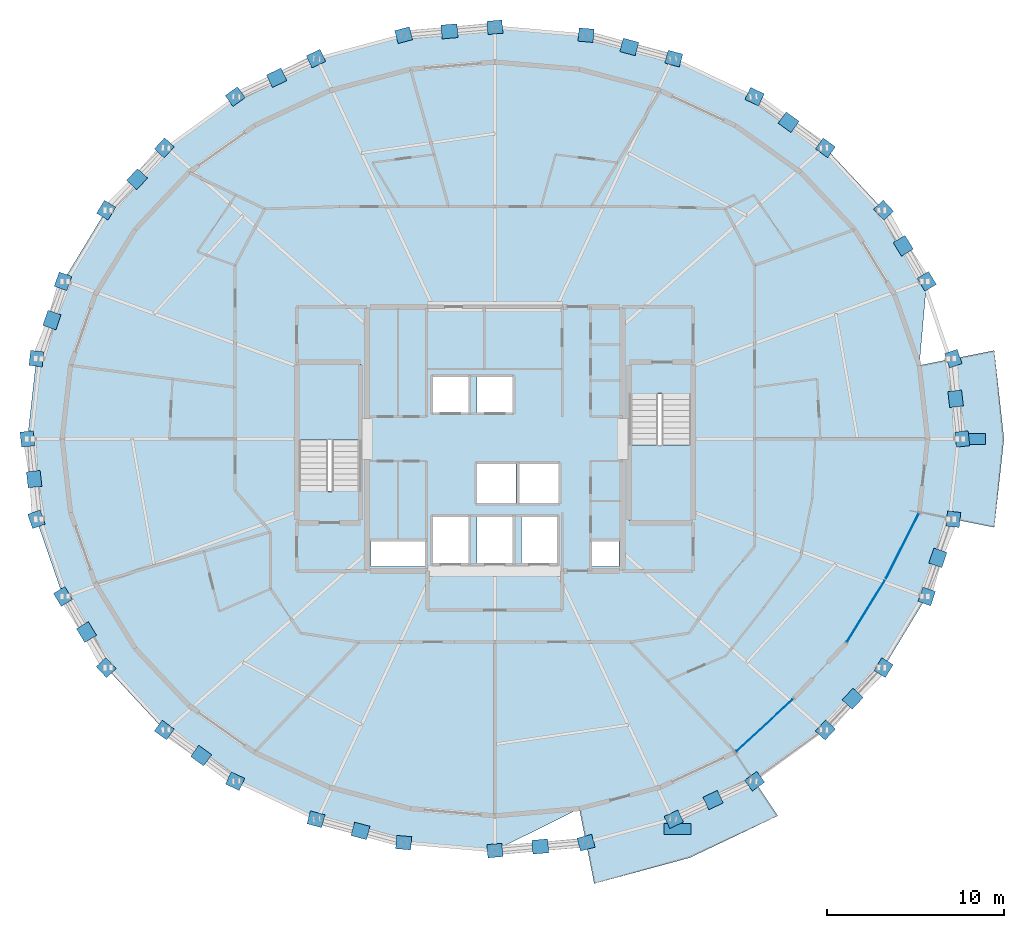
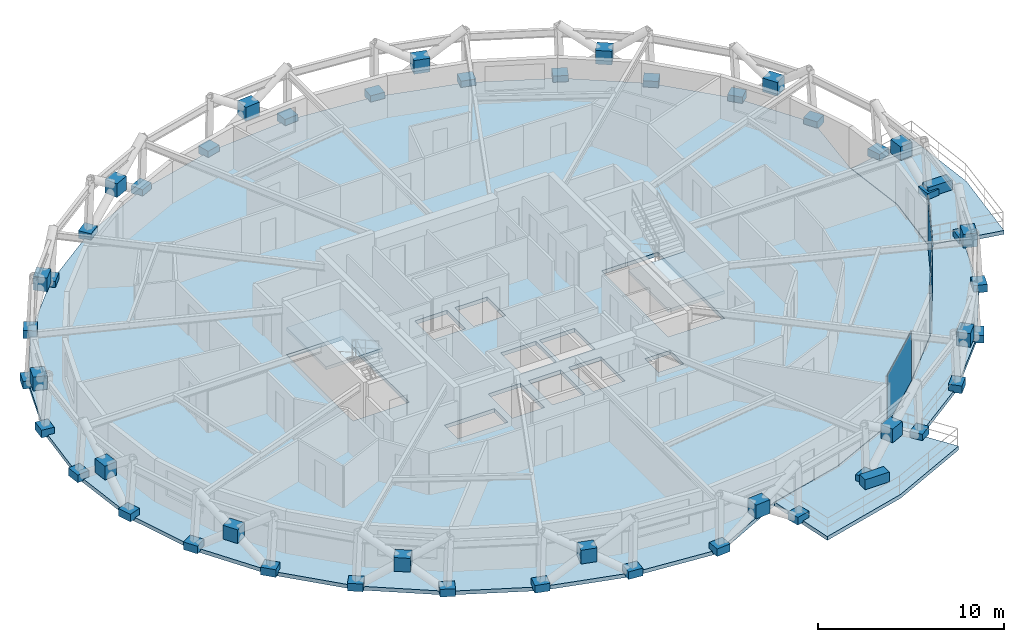
# One storey, part 8 of 14: 53 plates, 6 slabs, 4 elements without a shape of their own.
"""IFC4 building model written with IfcOpenShell, lengths in metres."""

from ifc_helpers import new_model, si_unit, direction, frame, origin, origin_2d, place, context, subcontext, project, spatial, polyline, rectangle, outline, extrude, material, layer, layer_set, type_object, element, aggregate, save


model = new_model("IFC4")

# Units and contexts
model_context = context("Model", 3, precision=1e-05, world=origin(), true_north=direction((0.0, 1.0)))
body_context = subcontext(model_context, "Body", "Model", "MODEL_VIEW")
ifc_project = project(units=[si_unit("LENGTHUNIT", "METRE"), si_unit("AREAUNIT", "SQUARE_METRE"), si_unit("VOLUMEUNIT", "CUBIC_METRE"), si_unit("PLANEANGLEUNIT", "RADIAN"), si_unit("MASSUNIT", "GRAM", prefix="KILO")], contexts=[model_context])

# Site, building, storey
site_placement = place(None, origin())
site = spatial("IfcSite", under=ifc_project, at=site_placement, CompositionType="ELEMENT")
building_placement = place(site_placement, origin())
building = spatial("IfcBuilding", under=site, at=building_placement, Name="Veldorina Hangang Commons", CompositionType="ELEMENT")
storey_placement = place(building_placement, frame((0.0, 0.0, 200.0)))
storey = spatial("IfcBuildingStorey", under=building, at=storey_placement, Name="L52", CompositionType="ELEMENT", Elevation=200.0)

# Curtain wall, plate
ifc_material_1 = material(Name="Glass Low-E Triple IGU", Category="glass")
ifc_layer_1 = layer(ifc_material_1, 0.179931640625)
ifc_layer_set_1 = layer_set([ifc_layer_1], Name="Glass Low-E Triple IGU")
curtain_wall_type = type_object("IfcCurtainWallType", Name="CW-SYS-Z2", PredefinedType="NOTDEFINED", material=ifc_layer_set_1)
curtain_wall_1_placement = place(storey_placement, origin())
curtain_wall_1 = element("IfcCurtainWall", 1, at=curtain_wall_1_placement, inside=storey, type_object=curtain_wall_type, Name="L52 unitised curtain wall CW-L52-R1", PredefinedType="NOTDEFINED")
ifc_layer_2 = layer(ifc_material_1, 0.0400390625)
ifc_layer_set_2 = layer_set([ifc_layer_2], Name="Glass Low-E Triple IGU")
plate_type_1 = type_object("IfcPlateType", Name="CW-PNL-VIS", PredefinedType="CURTAIN_PANEL", material=ifc_layer_set_2)
plate_1_placement = place(storey_placement, frame((47.20703125, 7.8466796875, 0.014892578125), z_axis=(0.0, 0.0, 1.0), x_axis=(0.735718933477, 0.677286978262, 0.0)))
plate_1 = element("IfcPlate", 2, at=plate_1_placement, type_object=plate_type_1, Name="CW-L52-R1 facet 1 glazed vision panel", PredefinedType="CURTAIN_PANEL", context=body_context, shape_type="SweptSolid", body=[
    extrude(rectangle(XDim=4.3076171875, YDim=0.0400390625, at=origin_2d()), origin(), (0.0, 0.0, 1.0), 3.22998046875),
])
aggregate(curtain_wall_1, [plate_1])

# Curtain wall, plates
curtain_wall_2_placement = place(storey_placement, origin())
curtain_wall_2 = element("IfcCurtainWall", 3, at=curtain_wall_2_placement, inside=storey, type_object=curtain_wall_type, Name="L52 unitised curtain wall CW-L52-R2", PredefinedType="NOTDEFINED")
plate_2_placement = place(storey_placement, frame((52.92431640625, 14.29150390625, 0.014892578125), z_axis=(0.0, 0.0, 1.0), x_axis=(0.524312907, 0.851525675216, 0.0)))
plate_2 = element("IfcPlate", 4, at=plate_2_placement, type_object=plate_type_1, Name="CW-L52-R2 facet 1 glazed vision panel", PredefinedType="CURTAIN_PANEL", context=body_context, shape_type="SweptSolid", body=[
    extrude(rectangle(XDim=4.021728515625, YDim=0.0400390625, at=origin_2d()), origin(), (0.0, 0.0, 1.0), 3.22998046875),
])
plate_3_placement = place(storey_placement, frame((54.978759765625, 17.966796875, 0.014892578125), z_axis=(0.0, 0.0, 1.0), x_axis=(0.450893119182, 0.892577949019, 0.0)))
plate_3 = element("IfcPlate", 5, at=plate_3_placement, type_object=plate_type_1, Name="CW-L52-R2 facet 2 glazed vision panel", PredefinedType="CURTAIN_PANEL", context=body_context, shape_type="SweptSolid", body=[
    extrude(rectangle(XDim=4.047119140625, YDim=0.0400390625, at=origin_2d()), origin(), (0.0, 0.0, 1.0), 3.22998046875),
])
aggregate(curtain_wall_2, [plate_2, plate_3])

# Plates
ifc_material_2 = material(Name="Steel SM460-TMC", Category="steel")
ifc_layer_3 = layer(ifc_material_2, 0.035888671875)
ifc_layer_set_3 = layer_set([ifc_layer_3], Name="Steel SM460-TMC")
plate_type_2 = type_object("IfcPlateType", Name="PL-STAR-36", PredefinedType="USERDEFINED", material=ifc_layer_set_3)
plate_4_placement = place(storey_placement, frame((58.360595703125, 24.0, -0.090087890625), z_axis=(0.0, 0.0, 1.0), x_axis=(-0.111139380162, 0.993804829017, 0.0)))
element("IfcPlate", 6, at=plate_4_placement, inside=storey, type_object=plate_type_2, Name="L52 diagrid star-node gusset plate 00", ObjectType="GUSSET PLATE", PredefinedType="USERDEFINED", context=body_context, shape_type="SweptSolid", body=[
    extrude(rectangle(XDim=0.85009765625, YDim=0.75, at=origin_2d()), origin(), (0.0, 0.0, 1.0), 0.5),
])
plate_5_placement = place(storey_placement, frame((57.982421875, 26.26416015625, 1.3505859375), z_axis=(0.0, 0.0, 1.0), x_axis=(-0.111139380162, 0.993804829017, 0.0)))
element("IfcPlate", 7, at=plate_5_placement, inside=storey, type_object=plate_type_2, Name="L52 diagrid X-crossing star-node gusset plate 00", ObjectType="GUSSET PLATE", PredefinedType="USERDEFINED", context=body_context, shape_type="SweptSolid", body=[
    extrude(rectangle(XDim=0.89990234375, YDim=0.780029296875, at=origin_2d()), origin(), (0.0, 0.0, 1.0), 0.89990234375),
])
for number, where, z_axis, x_axis, name in (
    (8, (57.85400390625, 28.529052734375, -0.090087890625), (0.0, 0.0, 1.0), (-0.325683668913, 0.945478792889, 0.0), "L52 diagrid star-node gusset plate 01"),
    (9, (56.35400390625, 32.884033203125, -0.090087890625), (0.0, 0.0, 1.0), (-0.518832941004, 0.854875651384, 0.0), "L52 diagrid star-node gusset plate 02"),
):
    element("IfcPlate", number, at=place(storey_placement, frame(where, z_axis=z_axis, x_axis=x_axis)), inside=storey, type_object=plate_type_2, Name=name, ObjectType="GUSSET PLATE", PredefinedType="USERDEFINED", context=body_context, shape_type="SweptSolid", body=[
        extrude(rectangle(XDim=0.85009765625, YDim=0.75, at=origin_2d()), origin(), (0.0, 0.0, 1.0), 0.5),
    ])
plate_6_placement = place(storey_placement, frame((55.0283203125, 34.890380859375, 1.352783203125), z_axis=(0.0, 0.0, 1.0), x_axis=(-0.518832941004, 0.854875651384, 0.0)))
element("IfcPlate", 10, at=plate_6_placement, inside=storey, type_object=plate_type_2, Name="L52 diagrid X-crossing star-node gusset plate 02", ObjectType="GUSSET PLATE", PredefinedType="USERDEFINED", context=body_context, shape_type="SweptSolid", body=[
    extrude(rectangle(XDim=0.89990234375, YDim=0.780029296875, at=origin_2d()), origin(), (0.0, 0.0, 1.0), 0.89990234375),
])
for number, where, z_axis, x_axis, name in (
    (11, (53.91796875, 36.897705078125, -0.090087890625), (0.0, 0.0, 1.0), (-0.681755796497, 0.731579820623, 0.0), "L52 diagrid star-node gusset plate 03"),
    (12, (50.6396484375, 40.41552734375, -0.090087890625), (0.0, 0.0, 1.0), (-0.810471256159, 0.585778407711, 0.0), "L52 diagrid star-node gusset plate 04"),
):
    element("IfcPlate", number, at=place(storey_placement, frame(where, z_axis=z_axis, x_axis=x_axis)), inside=storey, type_object=plate_type_2, Name=name, ObjectType="GUSSET PLATE", PredefinedType="USERDEFINED", context=body_context, shape_type="SweptSolid", body=[
        extrude(rectangle(XDim=0.85009765625, YDim=0.75, at=origin_2d()), origin(), (0.0, 0.0, 1.0), 0.5),
    ])
plate_7_placement = place(storey_placement, frame((48.56494140625, 41.85888671875, 1.35595703125), z_axis=(0.0, 0.0, 1.0), x_axis=(-0.810471256159, 0.585778407711, 0.0)))
element("IfcPlate", 13, at=plate_7_placement, inside=storey, type_object=plate_type_2, Name="L52 diagrid X-crossing star-node gusset plate 04", ObjectType="GUSSET PLATE", PredefinedType="USERDEFINED", context=body_context, shape_type="SweptSolid", body=[
    extrude(rectangle(XDim=0.89990234375, YDim=0.780029296875, at=origin_2d()), origin(), (0.0, 0.0, 1.0), 0.89990234375),
])
for number, where, z_axis, x_axis, name in (
    (14, (46.64501953125, 43.302734375, -0.090087890625), (0.0, 0.0, 1.0), (-0.904767593642, 0.425905625104, 0.0), "L52 diagrid star-node gusset plate 05"),
    (15, (42.087646484375, 45.447998046875, -0.090087890625), (0.0, 0.0, 1.0), (-0.966115291023, 0.258110915016, 0.0), "L52 diagrid star-node gusset plate 06"),
):
    element("IfcPlate", number, at=place(storey_placement, frame(where, z_axis=z_axis, x_axis=x_axis)), inside=storey, type_object=plate_type_2, Name=name, ObjectType="GUSSET PLATE", PredefinedType="USERDEFINED", context=body_context, shape_type="SweptSolid", body=[
        extrude(rectangle(XDim=0.85009765625, YDim=0.75, at=origin_2d()), origin(), (0.0, 0.0, 1.0), 0.5),
    ])
plate_8_placement = place(storey_placement, frame((39.5791015625, 46.105712890625, 1.358154296875), z_axis=(0.0, 0.0, 1.0), x_axis=(-0.966115291023, 0.258110915016, 0.0)))
element("IfcPlate", 16, at=plate_8_placement, inside=storey, type_object=plate_type_2, Name="L52 diagrid X-crossing star-node gusset plate 06", ObjectType="GUSSET PLATE", PredefinedType="USERDEFINED", context=body_context, shape_type="SweptSolid", body=[
    extrude(rectangle(XDim=0.89990234375, YDim=0.780029296875, at=origin_2d()), origin(), (0.0, 0.0, 1.0), 0.89990234375),
])
for number, where, z_axis, x_axis, name in (
    (17, (37.142578125, 46.76904296875, -0.090087890625), (0.0, 0.0, 1.0), (-0.996258318932, 0.086425470543, 0.0), "L52 diagrid star-node gusset plate 07"),
    (18, (32.0, 47.215087890625, -0.090087890625), (0.0, 0.0, 1.0), (-0.996258318932, -0.086425470543, 0.0), "L52 diagrid star-node gusset plate 08"),
):
    element("IfcPlate", number, at=place(storey_placement, frame(where, z_axis=z_axis, x_axis=x_axis)), inside=storey, type_object=plate_type_2, Name=name, ObjectType="GUSSET PLATE", PredefinedType="USERDEFINED", context=body_context, shape_type="SweptSolid", body=[
        extrude(rectangle(XDim=0.85009765625, YDim=0.75, at=origin_2d()), origin(), (0.0, 0.0, 1.0), 0.5),
    ])
plate_9_placement = place(storey_placement, frame((29.441162109375, 46.985107421875, 1.358642578125), z_axis=(0.0, 0.0, 1.0), x_axis=(-0.996258318932, -0.086425470543, 0.0)))
element("IfcPlate", 19, at=plate_9_placement, inside=storey, type_object=plate_type_2, Name="L52 diagrid X-crossing star-node gusset plate 08", ObjectType="GUSSET PLATE", PredefinedType="USERDEFINED", context=body_context, shape_type="SweptSolid", body=[
    extrude(rectangle(XDim=0.89990234375, YDim=0.780029296875, at=origin_2d()), origin(), (0.0, 0.0, 1.0), 0.89990234375),
])
for number, where, z_axis, x_axis, name in (
    (20, (26.857421875, 46.76904296875, -0.090087890625), (0.0, 0.0, 1.0), (-0.966115291023, -0.258110915016, 0.0), "L52 diagrid star-node gusset plate 09"),
    (21, (21.912353515625, 45.447998046875, -0.090087890625), (0.0, 0.0, 1.0), (-0.904767593642, -0.425905625104, 0.0), "L52 diagrid star-node gusset plate 10"),
):
    element("IfcPlate", number, at=place(storey_placement, frame(where, z_axis=z_axis, x_axis=x_axis)), inside=storey, type_object=plate_type_2, Name=name, ObjectType="GUSSET PLATE", PredefinedType="USERDEFINED", context=body_context, shape_type="SweptSolid", body=[
        extrude(rectangle(XDim=0.85009765625, YDim=0.75, at=origin_2d()), origin(), (0.0, 0.0, 1.0), 0.5),
    ])
plate_10_placement = place(storey_placement, frame((19.6953125, 44.365966796875, 1.357177734375), z_axis=(0.0, 0.0, 1.0), x_axis=(-0.904767593642, -0.425905625104, 0.0)))
element("IfcPlate", 22, at=plate_10_placement, inside=storey, type_object=plate_type_2, Name="L52 diagrid X-crossing star-node gusset plate 10", ObjectType="GUSSET PLATE", PredefinedType="USERDEFINED", context=body_context, shape_type="SweptSolid", body=[
    extrude(rectangle(XDim=0.89990234375, YDim=0.780029296875, at=origin_2d()), origin(), (0.0, 0.0, 1.0), 0.89990234375),
])
for number, where, z_axis, x_axis, name in (
    (23, (17.35498046875, 43.302734375, -0.090087890625), (0.0, 0.0, 1.0), (-0.810471256159, -0.585778407711, 0.0), "L52 diagrid star-node gusset plate 11"),
    (24, (13.3603515625, 40.41552734375, -0.090087890625), (0.0, 0.0, 1.0), (-0.681755796497, -0.731579820623, 0.0), "L52 diagrid star-node gusset plate 12"),
):
    element("IfcPlate", number, at=place(storey_placement, frame(where, z_axis=z_axis, x_axis=x_axis)), inside=storey, type_object=plate_type_2, Name=name, ObjectType="GUSSET PLATE", PredefinedType="USERDEFINED", context=body_context, shape_type="SweptSolid", body=[
        extrude(rectangle(XDim=0.85009765625, YDim=0.75, at=origin_2d()), origin(), (0.0, 0.0, 1.0), 0.5),
    ])
plate_11_placement = place(storey_placement, frame((11.8232421875, 38.64892578125, 1.354248046875), z_axis=(0.0, 0.0, 1.0), x_axis=(-0.681755796497, -0.731579820623, 0.0)))
element("IfcPlate", 25, at=plate_11_placement, inside=storey, type_object=plate_type_2, Name="L52 diagrid X-crossing star-node gusset plate 12", ObjectType="GUSSET PLATE", PredefinedType="USERDEFINED", context=body_context, shape_type="SweptSolid", body=[
    extrude(rectangle(XDim=0.89990234375, YDim=0.780029296875, at=origin_2d()), origin(), (0.0, 0.0, 1.0), 0.89990234375),
])
for number, where, z_axis, x_axis, name in (
    (26, (10.08203125, 36.897705078125, -0.090087890625), (0.0, 0.0, 1.0), (-0.518832941004, -0.854875651384, 0.0), "L52 diagrid star-node gusset plate 13"),
    (27, (7.64599609375, 32.884033203125, -0.090087890625), (0.0, 0.0, 1.0), (-0.325683668913, -0.945478792889, 0.0), "L52 diagrid star-node gusset plate 14"),
):
    element("IfcPlate", number, at=place(storey_placement, frame(where, z_axis=z_axis, x_axis=x_axis)), inside=storey, type_object=plate_type_2, Name=name, ObjectType="GUSSET PLATE", PredefinedType="USERDEFINED", context=body_context, shape_type="SweptSolid", body=[
        extrude(rectangle(XDim=0.85009765625, YDim=0.75, at=origin_2d()), origin(), (0.0, 0.0, 1.0), 0.5),
    ])
plate_12_placement = place(storey_placement, frame((7.020263671875, 30.703857421875, 1.351318359375), z_axis=(0.0, 0.0, 1.0), x_axis=(-0.325683668913, -0.945478792889, 0.0)))
element("IfcPlate", 28, at=plate_12_placement, inside=storey, type_object=plate_type_2, Name="L52 diagrid X-crossing star-node gusset plate 14", ObjectType="GUSSET PLATE", PredefinedType="USERDEFINED", context=body_context, shape_type="SweptSolid", body=[
    extrude(rectangle(XDim=0.89990234375, YDim=0.780029296875, at=origin_2d()), origin(), (0.0, 0.0, 1.0), 0.89990234375),
])
for number, where, z_axis, x_axis, name in (
    (29, (6.14599609375, 28.529052734375, -0.090087890625), (0.0, 0.0, 1.0), (-0.111139380162, -0.993804829017, 0.0), "L52 diagrid star-node gusset plate 15"),
    (30, (5.639404296875, 24.0, -0.090087890625), (0.0, 0.0, 1.0), (0.111139380162, -0.993804829017, 0.0), "L52 diagrid star-node gusset plate 16"),
):
    element("IfcPlate", number, at=place(storey_placement, frame(where, z_axis=z_axis, x_axis=x_axis)), inside=storey, type_object=plate_type_2, Name=name, ObjectType="GUSSET PLATE", PredefinedType="USERDEFINED", context=body_context, shape_type="SweptSolid", body=[
        extrude(rectangle(XDim=0.85009765625, YDim=0.75, at=origin_2d()), origin(), (0.0, 0.0, 1.0), 0.5),
    ])
plate_13_placement = place(storey_placement, frame((6.017578125, 21.73583984375, 1.3505859375), z_axis=(0.0, 0.0, 1.0), x_axis=(0.111139380162, -0.993804829017, 0.0)))
element("IfcPlate", 31, at=plate_13_placement, inside=storey, type_object=plate_type_2, Name="L52 diagrid X-crossing star-node gusset plate 16", ObjectType="GUSSET PLATE", PredefinedType="USERDEFINED", context=body_context, shape_type="SweptSolid", body=[
    extrude(rectangle(XDim=0.89990234375, YDim=0.780029296875, at=origin_2d()), origin(), (0.0, 0.0, 1.0), 0.89990234375),
])
for number, where, z_axis, x_axis, name in (
    (32, (6.14599609375, 19.470947265625, -0.090087890625), (0.0, 0.0, 1.0), (0.325683668913, -0.945478792889, 0.0), "L52 diagrid star-node gusset plate 17"),
    (33, (7.64599609375, 15.115966796875, -0.090087890625), (0.0, 0.0, 1.0), (0.518832941004, -0.854875651384, 0.0), "L52 diagrid star-node gusset plate 18"),
):
    element("IfcPlate", number, at=place(storey_placement, frame(where, z_axis=z_axis, x_axis=x_axis)), inside=storey, type_object=plate_type_2, Name=name, ObjectType="GUSSET PLATE", PredefinedType="USERDEFINED", context=body_context, shape_type="SweptSolid", body=[
        extrude(rectangle(XDim=0.85009765625, YDim=0.75, at=origin_2d()), origin(), (0.0, 0.0, 1.0), 0.5),
    ])
plate_14_placement = place(storey_placement, frame((8.9716796875, 13.109619140625, 1.352783203125), z_axis=(0.0, 0.0, 1.0), x_axis=(0.518832941004, -0.854875651384, 0.0)))
element("IfcPlate", 34, at=plate_14_placement, inside=storey, type_object=plate_type_2, Name="L52 diagrid X-crossing star-node gusset plate 18", ObjectType="GUSSET PLATE", PredefinedType="USERDEFINED", context=body_context, shape_type="SweptSolid", body=[
    extrude(rectangle(XDim=0.89990234375, YDim=0.780029296875, at=origin_2d()), origin(), (0.0, 0.0, 1.0), 0.89990234375),
])
for number, where, z_axis, x_axis, name in (
    (35, (10.08203125, 11.102294921875, -0.090087890625), (0.0, 0.0, 1.0), (0.681755796497, -0.731579820623, 0.0), "L52 diagrid star-node gusset plate 19"),
    (36, (13.3603515625, 7.58447265625, -0.090087890625), (0.0, 0.0, 1.0), (0.810471256159, -0.585778407711, 0.0), "L52 diagrid star-node gusset plate 20"),
):
    element("IfcPlate", number, at=place(storey_placement, frame(where, z_axis=z_axis, x_axis=x_axis)), inside=storey, type_object=plate_type_2, Name=name, ObjectType="GUSSET PLATE", PredefinedType="USERDEFINED", context=body_context, shape_type="SweptSolid", body=[
        extrude(rectangle(XDim=0.85009765625, YDim=0.75, at=origin_2d()), origin(), (0.0, 0.0, 1.0), 0.5),
    ])
plate_15_placement = place(storey_placement, frame((15.43505859375, 6.14111328125, 1.35595703125), z_axis=(0.0, 0.0, 1.0), x_axis=(0.810471256159, -0.585778407711, 0.0)))
element("IfcPlate", 37, at=plate_15_placement, inside=storey, type_object=plate_type_2, Name="L52 diagrid X-crossing star-node gusset plate 20", ObjectType="GUSSET PLATE", PredefinedType="USERDEFINED", context=body_context, shape_type="SweptSolid", body=[
    extrude(rectangle(XDim=0.89990234375, YDim=0.780029296875, at=origin_2d()), origin(), (0.0, 0.0, 1.0), 0.89990234375),
])
for number, where, z_axis, x_axis, name in (
    (38, (17.35498046875, 4.697265625, -0.090087890625), (0.0, 0.0, 1.0), (0.904767593642, -0.425905625104, 0.0), "L52 diagrid star-node gusset plate 21"),
    (39, (21.912353515625, 2.552001953125, -0.090087890625), (0.0, 0.0, 1.0), (0.966115291023, -0.258110915016, 0.0), "L52 diagrid star-node gusset plate 22"),
):
    element("IfcPlate", number, at=place(storey_placement, frame(where, z_axis=z_axis, x_axis=x_axis)), inside=storey, type_object=plate_type_2, Name=name, ObjectType="GUSSET PLATE", PredefinedType="USERDEFINED", context=body_context, shape_type="SweptSolid", body=[
        extrude(rectangle(XDim=0.85009765625, YDim=0.75, at=origin_2d()), origin(), (0.0, 0.0, 1.0), 0.5),
    ])
plate_16_placement = place(storey_placement, frame((24.4208984375, 1.894287109375, 1.358154296875), z_axis=(0.0, 0.0, 1.0), x_axis=(0.966115291023, -0.258110915016, 0.0)))
element("IfcPlate", 40, at=plate_16_placement, inside=storey, type_object=plate_type_2, Name="L52 diagrid X-crossing star-node gusset plate 22", ObjectType="GUSSET PLATE", PredefinedType="USERDEFINED", context=body_context, shape_type="SweptSolid", body=[
    extrude(rectangle(XDim=0.89990234375, YDim=0.780029296875, at=origin_2d()), origin(), (0.0, 0.0, 1.0), 0.89990234375),
])
for number, where, z_axis, x_axis, name in (
    (41, (26.857421875, 1.23095703125, -0.090087890625), (0.0, 0.0, 1.0), (0.996258318932, -0.086425470543, 0.0), "L52 diagrid star-node gusset plate 23"),
    (42, (32.0, 0.784912109375, -0.090087890625), (0.0, 0.0, 1.0), (0.996258318932, 0.086425470543, 0.0), "L52 diagrid star-node gusset plate 24"),
):
    element("IfcPlate", number, at=place(storey_placement, frame(where, z_axis=z_axis, x_axis=x_axis)), inside=storey, type_object=plate_type_2, Name=name, ObjectType="GUSSET PLATE", PredefinedType="USERDEFINED", context=body_context, shape_type="SweptSolid", body=[
        extrude(rectangle(XDim=0.85009765625, YDim=0.75, at=origin_2d()), origin(), (0.0, 0.0, 1.0), 0.5),
    ])
plate_17_placement = place(storey_placement, frame((34.558837890625, 1.014892578125, 1.358642578125), z_axis=(0.0, 0.0, 1.0), x_axis=(0.996258318932, 0.086425470543, 0.0)))
element("IfcPlate", 43, at=plate_17_placement, inside=storey, type_object=plate_type_2, Name="L52 diagrid X-crossing star-node gusset plate 24", ObjectType="GUSSET PLATE", PredefinedType="USERDEFINED", context=body_context, shape_type="SweptSolid", body=[
    extrude(rectangle(XDim=0.89990234375, YDim=0.780029296875, at=origin_2d()), origin(), (0.0, 0.0, 1.0), 0.89990234375),
])
for number, where, z_axis, x_axis, name in (
    (44, (37.142578125, 1.23095703125, -0.090087890625), (0.0, 0.0, 1.0), (0.966115291023, 0.258110915016, 0.0), "L52 diagrid star-node gusset plate 25"),
    (45, (42.087646484375, 2.552001953125, -0.090087890625), (0.0, 0.0, 1.0), (0.904767593642, 0.425905625104, 0.0), "L52 diagrid star-node gusset plate 26"),
):
    element("IfcPlate", number, at=place(storey_placement, frame(where, z_axis=z_axis, x_axis=x_axis)), inside=storey, type_object=plate_type_2, Name=name, ObjectType="GUSSET PLATE", PredefinedType="USERDEFINED", context=body_context, shape_type="SweptSolid", body=[
        extrude(rectangle(XDim=0.85009765625, YDim=0.75, at=origin_2d()), origin(), (0.0, 0.0, 1.0), 0.5),
    ])
plate_18_placement = place(storey_placement, frame((44.3046875, 3.634033203125, 1.357177734375), z_axis=(0.0, 0.0, 1.0), x_axis=(0.904767593642, 0.425905625104, 0.0)))
element("IfcPlate", 46, at=plate_18_placement, inside=storey, type_object=plate_type_2, Name="L52 diagrid X-crossing star-node gusset plate 26", ObjectType="GUSSET PLATE", PredefinedType="USERDEFINED", context=body_context, shape_type="SweptSolid", body=[
    extrude(rectangle(XDim=0.89990234375, YDim=0.780029296875, at=origin_2d()), origin(), (0.0, 0.0, 1.0), 0.89990234375),
])
for number, where, z_axis, x_axis, name in (
    (47, (46.64501953125, 4.697265625, -0.090087890625), (0.0, 0.0, 1.0), (0.810471256159, 0.585778407711, 0.0), "L52 diagrid star-node gusset plate 27"),
    (48, (50.6396484375, 7.58447265625, -0.090087890625), (0.0, 0.0, 1.0), (0.681755796497, 0.731579820623, 0.0), "L52 diagrid star-node gusset plate 28"),
):
    element("IfcPlate", number, at=place(storey_placement, frame(where, z_axis=z_axis, x_axis=x_axis)), inside=storey, type_object=plate_type_2, Name=name, ObjectType="GUSSET PLATE", PredefinedType="USERDEFINED", context=body_context, shape_type="SweptSolid", body=[
        extrude(rectangle(XDim=0.85009765625, YDim=0.75, at=origin_2d()), origin(), (0.0, 0.0, 1.0), 0.5),
    ])
plate_19_placement = place(storey_placement, frame((52.1767578125, 9.35107421875, 1.354248046875), z_axis=(0.0, 0.0, 1.0), x_axis=(0.681755796497, 0.731579820623, 0.0)))
element("IfcPlate", 49, at=plate_19_placement, inside=storey, type_object=plate_type_2, Name="L52 diagrid X-crossing star-node gusset plate 28", ObjectType="GUSSET PLATE", PredefinedType="USERDEFINED", context=body_context, shape_type="SweptSolid", body=[
    extrude(rectangle(XDim=0.89990234375, YDim=0.780029296875, at=origin_2d()), origin(), (0.0, 0.0, 1.0), 0.89990234375),
])
for number, where, z_axis, x_axis, name in (
    (50, (53.91796875, 11.102294921875, -0.090087890625), (0.0, 0.0, 1.0), (0.518832941004, 0.854875651384, 0.0), "L52 diagrid star-node gusset plate 29"),
    (51, (56.35400390625, 15.115966796875, -0.090087890625), (0.0, 0.0, 1.0), (0.325683668913, 0.945478792889, 0.0), "L52 diagrid star-node gusset plate 30"),
):
    element("IfcPlate", number, at=place(storey_placement, frame(where, z_axis=z_axis, x_axis=x_axis)), inside=storey, type_object=plate_type_2, Name=name, ObjectType="GUSSET PLATE", PredefinedType="USERDEFINED", context=body_context, shape_type="SweptSolid", body=[
        extrude(rectangle(XDim=0.85009765625, YDim=0.75, at=origin_2d()), origin(), (0.0, 0.0, 1.0), 0.5),
    ])
plate_20_placement = place(storey_placement, frame((56.979736328125, 17.296142578125, 1.351318359375), z_axis=(0.0, 0.0, 1.0), x_axis=(0.325683668913, 0.945478792889, 0.0)))
element("IfcPlate", 52, at=plate_20_placement, inside=storey, type_object=plate_type_2, Name="L52 diagrid X-crossing star-node gusset plate 30", ObjectType="GUSSET PLATE", PredefinedType="USERDEFINED", context=body_context, shape_type="SweptSolid", body=[
    extrude(rectangle(XDim=0.89990234375, YDim=0.780029296875, at=origin_2d()), origin(), (0.0, 0.0, 1.0), 0.89990234375),
])
plate_21_placement = place(storey_placement, frame((57.85400390625, 19.470947265625, -0.090087890625), z_axis=(0.0, 0.0, 1.0), x_axis=(0.111139380162, 0.993804829017, 0.0)))
element("IfcPlate", 53, at=plate_21_placement, inside=storey, type_object=plate_type_2, Name="L52 diagrid star-node gusset plate 31", ObjectType="GUSSET PLATE", PredefinedType="USERDEFINED", context=body_context, shape_type="SweptSolid", body=[
    extrude(rectangle(XDim=0.85009765625, YDim=0.75, at=origin_2d()), origin(), (0.0, 0.0, 1.0), 0.5),
])
ifc_material_3 = material(Name="Stone Roman Travertine", Category="masonry")
ifc_layer_4 = layer(ifc_material_3, 0.64990234375)
ifc_layer_set_4 = layer_set([ifc_layer_4], Name="Stone Roman Travertine")
plate_type_3 = type_object("IfcPlateType", Name="PLN-TBAL-1800", PredefinedType="USERDEFINED", material=ifc_layer_set_4)
for number, where, z_axis, x_axis, name in (
    (54, (42.299072265625, 2.00439453125, 0.0), (0.0, 0.0, 1.0), (1.0, 0.0, 0.0), "L52 TREE BALCONY PLANTER 1"),
    (55, (58.91259765625, 24.0, 0.0), (0.0, 0.0, 1.0), (1.0, 0.0, 0.0), "L52 TREE BALCONY PLANTER 2"),
):
    element("IfcPlate", number, at=place(storey_placement, frame(where, z_axis=z_axis, x_axis=x_axis)), inside=storey, type_object=plate_type_3, Name=name, ObjectType="PLANTER", PredefinedType="USERDEFINED", context=body_context, shape_type="SweptSolid", body=[
        extrude(rectangle(XDim=1.5, YDim=0.60009765625, at=origin_2d()), origin(), (0.0, 0.0, 1.0), 0.64990234375),
    ])

# Slabs
ifc_material_4 = material(Name="Concrete C40/50", Category="concrete")
ifc_layer_5 = layer(ifc_material_4, 0.25)
ifc_layer_set_5 = layer_set([ifc_layer_5], Name="Concrete C40/50")
slab_type_1 = type_object("IfcSlabType", Name="SL-FLR-250", PredefinedType="FLOOR", material=ifc_layer_set_5)
slab_1_placement = place(storey_placement, frame((0.0, 0.0, -0.25)))
element("IfcSlab", 56, at=slab_1_placement, inside=storey, type_object=slab_type_1, Name="L52 tower structural floor slab", PredefinedType="FLOOR", context=body_context, shape_type="SweptSolid", body=[
    extrude(outline(polyline([(56.400390625, 24.0), (55.931640625, 28.146728515625), (56.35400390625, 32.884033203125), (53.91796875, 36.897705078125), (50.6396484375, 40.41552734375), (46.64501953125, 43.302734375), (42.087646484375, 45.447998046875), (37.142578125, 46.76904296875), (32.0, 47.215087890625), (26.857421875, 46.76904296875), (21.912353515625, 45.447998046875), (17.35498046875, 43.302734375), (13.3603515625, 40.41552734375), (10.08203125, 36.897705078125), (7.64599609375, 32.884033203125), (6.14599609375, 28.529052734375), (5.639404296875, 24.0), (6.14599609375, 19.470947265625), (7.64599609375, 15.115966796875), (10.08203125, 11.102294921875), (13.3603515625, 7.58447265625), (17.35498046875, 4.697265625), (21.912353515625, 2.552001953125), (26.857421875, 1.23095703125), (32.0, 0.784912109375), (36.76025390625, 3.1533203125), (41.337646484375, 4.36279296875), (45.55615234375, 6.326904296875), (48.85791015625, 9.3662109375), (51.82275390625, 12.50244140625), (54.025634765625, 16.080322265625), (55.931640625, 19.853271484375), (56.400390625, 24.0)]), holes=[polyline([(20.949951171875, 21.05810546875), (20.949951171875, 28.199951171875), (24.449951171875, 28.199951171875), (24.449951171875, 21.05810546875), (20.949951171875, 21.05810546875)]), polyline([(43.050048828125, 26.5419921875), (43.050048828125, 19.39990234375), (39.550048828125, 19.39990234375), (39.550048828125, 26.5419921875), (43.050048828125, 26.5419921875)]), polyline([(28.5, 27.5), (30.5, 27.5), (30.5, 25.5), (28.5, 25.5), (28.5, 27.5)]), polyline([(31.0, 27.5), (33.0, 27.5), (33.0, 25.5), (31.0, 25.5), (31.0, 27.5)]), polyline([(31.0, 22.60009765625), (33.199951171875, 22.60009765625), (33.199951171875, 20.39990234375), (31.0, 20.39990234375), (31.0, 22.60009765625)]), polyline([(33.39990234375, 22.60009765625), (35.60009765625, 22.60009765625), (35.60009765625, 20.39990234375), (33.39990234375, 20.39990234375), (33.39990234375, 22.60009765625)]), polyline([(28.5, 19.60009765625), (30.5, 19.60009765625), (30.5, 17.0), (28.5, 17.0), (28.5, 19.60009765625)]), polyline([(31.0, 19.60009765625), (33.0, 19.60009765625), (33.0, 17.0), (31.0, 17.0), (31.0, 19.60009765625)]), polyline([(33.5, 19.60009765625), (35.5, 19.60009765625), (35.5, 17.0), (33.5, 17.0), (33.5, 19.60009765625)]), polyline([(25.0, 18.25), (28.10009765625, 18.25), (28.10009765625, 16.800048828125), (25.0, 16.800048828125), (25.0, 18.25)]), polyline([(37.449951171875, 18.25), (39.0, 18.25), (39.0, 16.800048828125), (37.449951171875, 16.800048828125), (37.449951171875, 18.25)])]), origin(), (0.0, 0.0, 1.0), 0.25),
])
slab_2_placement = place(storey_placement, frame((0.0, 0.0, -0.25)))
element("IfcSlab", 57, at=slab_2_placement, inside=storey, type_object=slab_type_1, Name="L52 sky-garden loggia outdoor slab", PredefinedType="FLOOR", context=body_context, shape_type="SweptSolid", body=[
    extrude(outline(polyline([(57.85400390625, 19.470947265625), (56.35400390625, 15.115966796875), (53.91796875, 11.102294921875), (50.6396484375, 7.58447265625), (46.64501953125, 4.697265625), (45.564453125, 6.314453125), (45.565185546875, 6.31494140625), (45.56640625, 6.31591796875), (48.867919921875, 9.355224609375), (48.86865234375, 9.35595703125), (51.83349609375, 12.4921875), (51.834716796875, 12.493408203125), (51.83544921875, 12.494384765625), (54.03857421875, 16.072509765625), (54.0390625, 16.073486328125), (55.945068359375, 19.846435546875), (55.945556640625, 19.847900390625), (55.946044921875, 19.84912109375), (55.9462890625, 19.850341796875), (55.9462890625, 19.850341796875), (57.85400390625, 19.470947265625)])), origin(), (0.0, 0.0, 1.0), 0.25),
])
slab_3_placement = place(storey_placement, frame((0.0, 0.0, -0.25)))
element("IfcSlab", 58, at=slab_3_placement, inside=storey, type_object=slab_type_1, Name="L52 planted tree balcony slab 1", PredefinedType="FLOOR", context=body_context, shape_type="SweptSolid", body=[
    extrude(outline(polyline([(41.34521484375, 4.34423828125), (45.5673828125, 6.310302734375), (47.95068359375, 2.743408203125), (42.987060546875, 0.380859375), (37.60107421875, -1.073974609375), (36.76416015625, 3.133544921875), (41.34521484375, 4.34423828125)])), origin(), (0.0, 0.0, 1.0), 0.25),
])
slab_4_placement = place(storey_placement, frame((0.0, 0.0, -0.25)))
element("IfcSlab", 59, at=slab_4_placement, inside=storey, type_object=slab_type_1, Name="L52 planted tree balcony slab 2", PredefinedType="FLOOR", context=body_context, shape_type="SweptSolid", body=[
    extrude(outline(polyline([(56.42041015625, 24.0), (55.951416015625, 28.150634765625), (60.15869140625, 28.987548828125), (60.71044921875, 24.0), (60.15869140625, 19.012451171875), (55.951416015625, 19.849365234375), (56.42041015625, 24.0)])), origin(), (0.0, 0.0, 1.0), 0.25),
])

# Stair, slab
stair_type = type_object("IfcStairType", Name="STR-DOG-1650-20R", PredefinedType="HALF_TURN_STAIR", material=ifc_material_4)
stair_1_placement = place(storey_placement, origin())
stair_1 = element("IfcStair", 60, at=stair_1_placement, inside=storey, type_object=stair_type, Name="L52 Exit stair ST-1", PredefinedType="HALF_TURN_STAIR")
ifc_layer_6 = layer(ifc_material_4, 0.199951171875)
ifc_layer_set_6 = layer_set([ifc_layer_6], Name="Concrete C40/50")
slab_type_2 = type_object("IfcSlabType", Name="SL-LND-200", PredefinedType="LANDING", material=ifc_layer_set_6)
slab_5_placement = place(storey_placement, frame((0.0, 0.0, 1.60009765625)))
slab_5 = element("IfcSlab", 61, at=slab_5_placement, type_object=slab_type_2, Name="ST-1 landing 1", PredefinedType="LANDING", context=body_context, shape_type="SweptSolid", body=[
    extrude(outline(polyline([(24.449951171875, 23.929931640625), (24.449951171875, 28.199951171875), (20.949951171875, 28.199951171875), (20.949951171875, 23.929931640625), (24.449951171875, 23.929931640625)])), origin(), (0.0, 0.0, 1.0), 0.199951171875),
])
aggregate(stair_1, [slab_5])

stair_2_placement = place(storey_placement, origin())
stair_2 = element("IfcStair", 62, at=stair_2_placement, inside=storey, type_object=stair_type, Name="L52 Exit stair ST-2", PredefinedType="HALF_TURN_STAIR")
slab_6_placement = place(storey_placement, frame((0.0, 0.0, 1.60009765625)))
slab_6 = element("IfcSlab", 63, at=slab_6_placement, type_object=slab_type_2, Name="ST-2 landing 1", PredefinedType="LANDING", context=body_context, shape_type="SweptSolid", body=[
    extrude(outline(polyline([(39.550048828125, 23.669921875), (39.550048828125, 19.39990234375), (43.050048828125, 19.39990234375), (43.050048828125, 23.669921875), (39.550048828125, 23.669921875)])), origin(), (0.0, 0.0, 1.0), 0.199951171875),
])
aggregate(stair_2, [slab_6])

save(model, "model.ifc")
